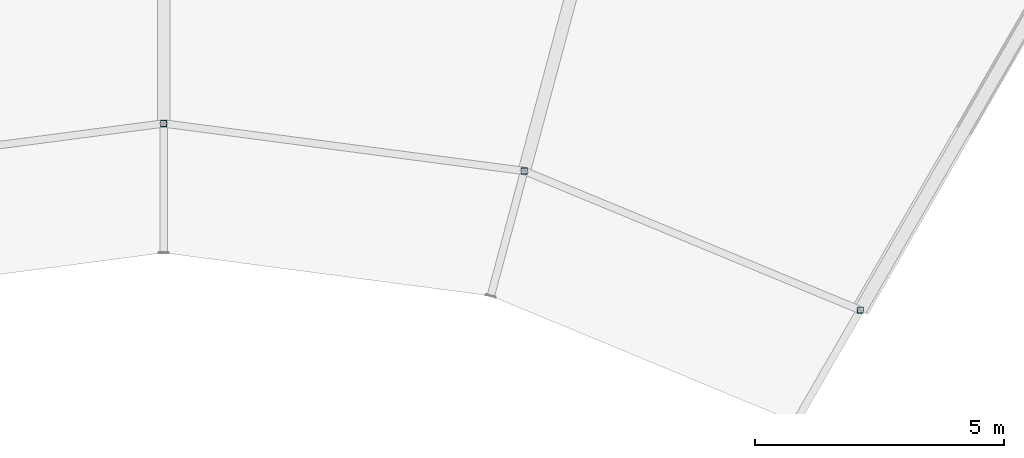
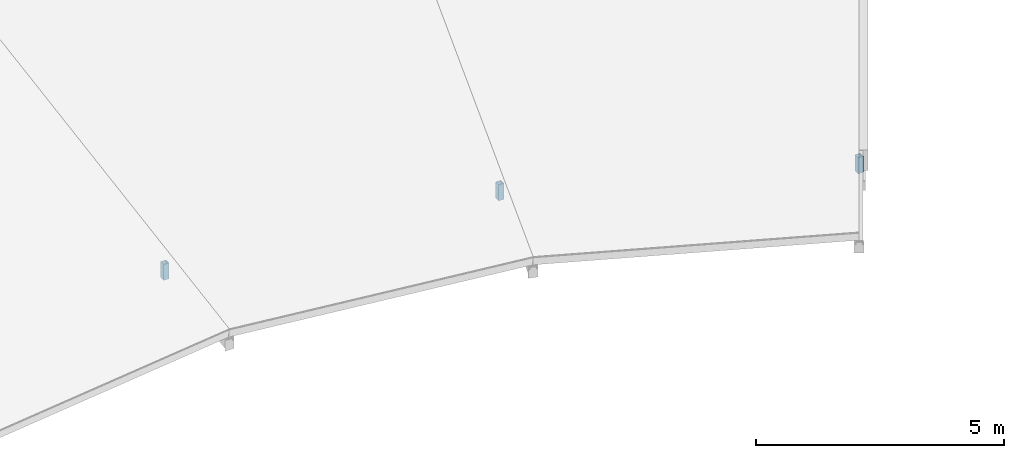
# One storey, part 35 of 70: 3 members.
"""IFC4 building model written with IfcOpenShell, lengths in metres."""

from ifc_helpers import new_model, si_unit, direction, frame, origin, origin_2d, place, context, subcontext, project, spatial, hollow_rectangle, extrude, material, material_profile, profile_set, type_object, element, save


model = new_model("IFC4")

# Units and contexts
model_context = context("Model", 3, precision=1e-05, world=origin(), true_north=direction((0.0, 1.0)))
body_context = subcontext(model_context, "Body", "Model", "MODEL_VIEW")
ifc_project = project(units=[si_unit("LENGTHUNIT", "METRE"), si_unit("AREAUNIT", "SQUARE_METRE"), si_unit("VOLUMEUNIT", "CUBIC_METRE"), si_unit("PLANEANGLEUNIT", "RADIAN"), si_unit("MASSUNIT", "GRAM", prefix="KILO")], contexts=[model_context])

# Site, building, storey
site_placement = place(None, origin())
site = spatial("IfcSite", under=ifc_project, at=site_placement, CompositionType="ELEMENT")
building_placement = place(site_placement, origin())
building = spatial("IfcBuilding", under=site, at=building_placement, Name="Vondelvale Polytechnic", CompositionType="ELEMENT")
storey_placement = place(building_placement, frame((0.0, 0.0, 22.199951171875)))
storey = spatial("IfcBuildingStorey", under=building, at=storey_placement, Name="L05", CompositionType="ELEMENT", Elevation=22.199951171875)

# Members
ifc_material = material(Name="Steel C350L0 (fy = 350 MPa)", Category="steel")
ifc_material_profile = material_profile(ifc_material, hollow_rectangle(XDim=0.125, YDim=0.125, WallThickness=0.006103515625, at=origin_2d()), Name="125x125x6.0SHS")
ifc_profile_set = profile_set([ifc_material_profile], Name="Steel C350L0 (fy = 350 MPa)")
member_type = type_object("IfcMemberType", Name="ROOF TRUSS POST 125SHS", PredefinedType="POST", material=ifc_profile_set)
for number, where, z_axis, x_axis, name in (
    (1, (116.0, 96.248779296875, 0.0), (0.0, 0.0, 1.0), (1.0, 0.0, 0.0), "Ring inner eave post 04"),
    (2, (109.246826171875, 99.0458984375, 0.0), (0.0, 0.0, 1.0), (1.0, 0.0, 0.0), "Ring inner eave post 05"),
    (3, (102.0, 100.0, 0.0), (0.0, 0.0, 1.0), (1.0, 0.0, 0.0), "Ring inner eave post 06"),
):
    element("IfcMember", number, at=place(storey_placement, frame(where, z_axis=z_axis, x_axis=x_axis)), inside=storey, type_object=member_type, Name=name, PredefinedType="POST", context=body_context, shape_type="SweptSolid", body=[
        extrude(hollow_rectangle(XDim=0.125, YDim=0.125, WallThickness=0.006103515625, at=origin_2d()), origin(), (0.0, 0.0, 1.0), 0.3916015625),
    ])

save(model, "model.ifc")
